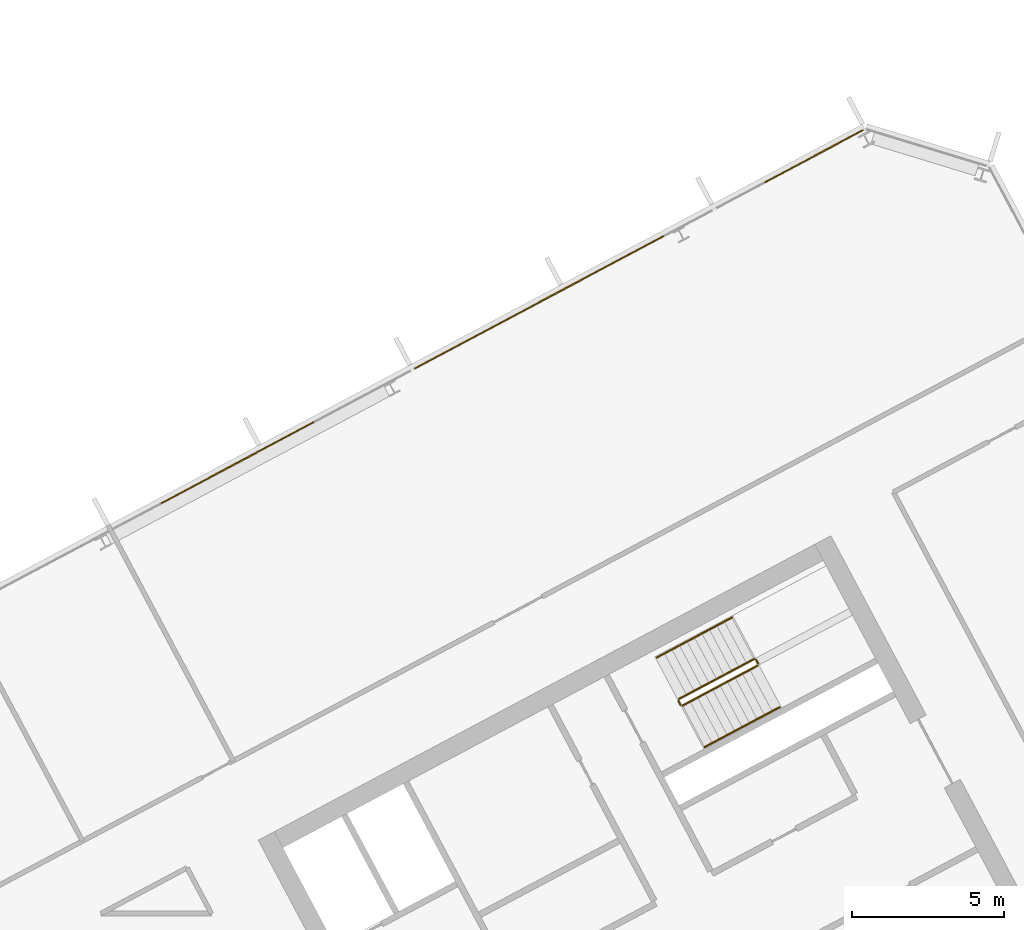
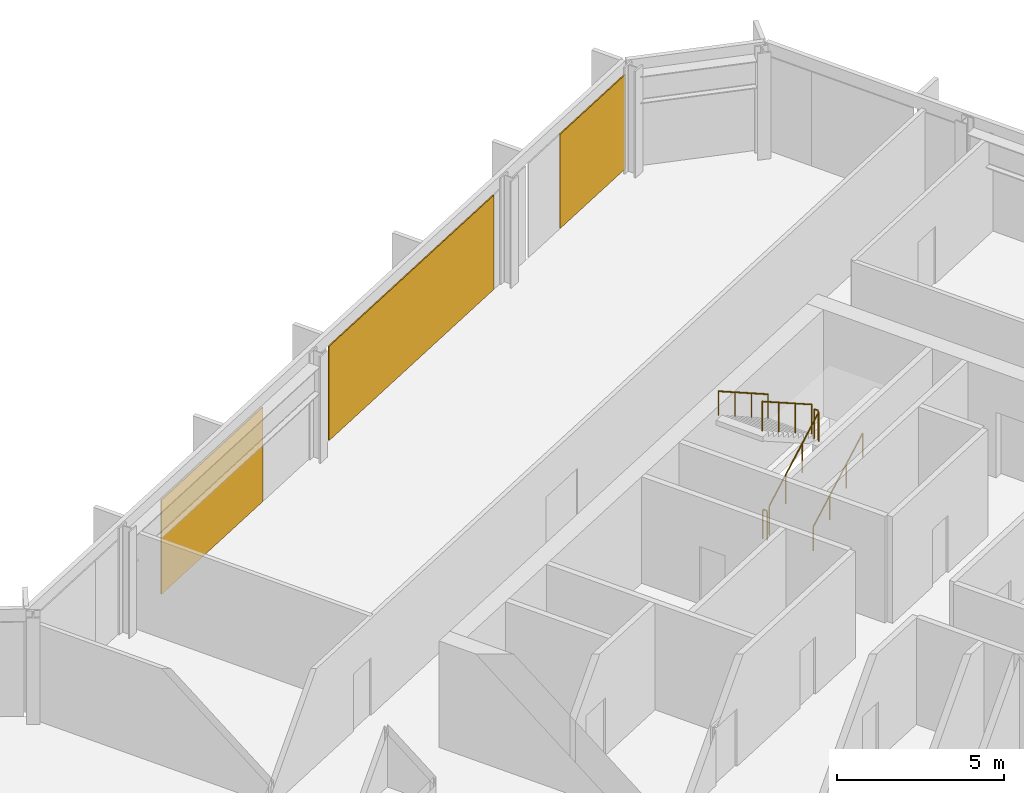
# One storey, part 26 of 27: 6 railings, 3 coverings, 1 element without a shape of its own.
"""IFC4 building model written with IfcOpenShell, lengths in metres."""

import ifcopenshell
import ifcopenshell.guid

model = None  # the IFC model being written
_history = None  # IfcOwnerHistory: only IFC2X3 demands one
_inside = {}  # id of a spatial element -> (the spatial element, [elements in it])
_under = {}  # id of a project, library or spatial element -> (it, [spatial elements below it])
_declared = {}  # id of a project -> (the project, [libraries it declares])
_typed = {}  # id of a type object -> (the type object, [elements of that type])
_made_of = {}  # id of a material, layer set ... -> (it, [elements and type objects made of it])


def new_model(schema):
    """Start an empty IFC model of exactly this schema.

    Asked for "IFC4X3", IfcOpenShell would pick the latest addendum, in which some entities
    have other attributes; the version numbers below select the first issue.
    IFC2X3 requires an IfcOwnerHistory on every rooted entity: one is made here for all.
    """
    global model, _history
    if schema == "IFC4X3":
        model = ifcopenshell.file(schema_version=(4, 3, 0, 0))
    else:
        model = ifcopenshell.file(schema=schema)
    _inside.clear()
    _under.clear()
    _declared.clear()
    _typed.clear()
    _made_of.clear()
    _history = None
    if model.schema == "IFC2X3":
        org = make("IfcOrganization", Name="unknown")
        user = make(
            "IfcPersonAndOrganization",
            ThePerson=make("IfcPerson", FamilyName="unknown"),
            TheOrganization=org,
        )
        app = make(
            "IfcApplication",
            ApplicationDeveloper=org,
            Version="unknown",
            ApplicationFullName="unknown",
            ApplicationIdentifier="unknown",
        )
        _history = make(
            "IfcOwnerHistory",
            OwningUser=user,
            OwningApplication=app,
            ChangeAction="ADDED",
            CreationDate=0,
        )
    return model


def make(cls, **values):
    """One entity of the class cls with the attributes given. An attribute that is None is left unset."""
    return model.create_entity(
        cls, **{name: value for name, value in values.items() if value is not None}
    )


def rooted(cls, **values):
    """An entity with a GlobalId (a new one), such as an element, a storey or a relation."""
    return make(cls, GlobalId=ifcopenshell.guid.new(), OwnerHistory=_history, **values)


def si_unit(unit_type, name, prefix=None):
    """IfcSIUnit, for example si_unit("LENGTHUNIT", "METRE", prefix="MILLI")."""
    return make("IfcSIUnit", UnitType=unit_type, Prefix=prefix, Name=name)


def assignment(units):
    """IfcUnitAssignment: the units of a project."""
    return None if units is None else make("IfcUnitAssignment", Units=units)


def point(xyz):
    """IfcCartesianPoint."""
    return None if xyz is None else make("IfcCartesianPoint", Coordinates=xyz)


def direction(xyz):
    """IfcDirection."""
    return None if xyz is None else make("IfcDirection", DirectionRatios=xyz)


def frame(location, z_axis=None, x_axis=None):
    """IfcAxis2Placement3D, a coordinate frame: its origin and axes. An axis left out is left unset."""
    return make(
        "IfcAxis2Placement3D",
        Location=point(location),
        Axis=direction(z_axis),
        RefDirection=direction(x_axis),
    )


def frame_2d(location, x_axis=None):
    """IfcAxis2Placement2D, a coordinate frame in the plane: its origin and x axis."""
    return make(
        "IfcAxis2Placement2D", Location=point(location), RefDirection=direction(x_axis)
    )


def origin():
    """The frame at (0, 0, 0) with its axes left unset."""
    return frame((0.0, 0.0, 0.0))


def origin_2d():
    """The frame at (0, 0) in the plane with its x axis left unset."""
    return frame_2d((0.0, 0.0))


def place(relative_to, where):
    """IfcLocalPlacement: puts the frame where relative to a parent placement (None: the world)."""
    return make(
        "IfcLocalPlacement", PlacementRelTo=relative_to, RelativePlacement=where
    )


def context(
    kind, dimensions, precision=None, world=None, true_north=None, identifier=None
):
    """IfcGeometricRepresentationContext, for example the 3D "Model" context."""
    return make(
        "IfcGeometricRepresentationContext",
        ContextIdentifier=identifier,
        ContextType=kind,
        CoordinateSpaceDimension=dimensions,
        Precision=precision,
        WorldCoordinateSystem=world,
        TrueNorth=true_north,
    )


def subcontext(parent, identifier, kind, view, scale=None):
    """IfcGeometricRepresentationSubContext, for example "Body" below "Model"."""
    return make(
        "IfcGeometricRepresentationSubContext",
        ContextIdentifier=identifier,
        ContextType=kind,
        ParentContext=parent,
        TargetScale=scale,
        TargetView=view,
    )


def project(units=None, contexts=None):
    """IfcProject with its units and contexts."""
    return rooted(
        "IfcProject",
        Name="project",
        RepresentationContexts=contexts,
        UnitsInContext=assignment(units),
    )


def spatial(cls, under=None, at=None, **own):
    """A site, building, storey or space (cls), placed at a placement, below another one or the project."""
    s = rooted(cls, ObjectPlacement=at, **own)
    if under is not None:
        _under.setdefault(under.id(), (under, []))[1].append(s)
    return s


def polyline(points):
    """IfcPolyline through the points."""
    return make("IfcPolyline", Points=[point(p) for p in points])


def profile(cls, at=None, kind="AREA", **sizes):
    """A parametric profile (cls). Its sizes go by their IFC names, for example OverallWidth=200.0."""
    return make(cls, ProfileType=kind, Position=at, **sizes)


def rectangle(**sizes):
    """IfcRectangleProfileDef."""
    return profile("IfcRectangleProfileDef", **sizes)


def outline(outer, holes=None, kind="AREA"):
    """IfcArbitraryClosedProfileDef: a profile drawn as a closed curve; with holes, ...WithVoids."""
    if holes is None:
        return make("IfcArbitraryClosedProfileDef", ProfileType=kind, OuterCurve=outer)
    return make(
        "IfcArbitraryProfileDefWithVoids",
        ProfileType=kind,
        OuterCurve=outer,
        InnerCurves=holes,
    )


def extrude(swept, where, along, depth):
    """IfcExtrudedAreaSolid: the profile swept, set in the frame where, extruded along a direction by depth."""
    return make(
        "IfcExtrudedAreaSolid",
        SweptArea=swept,
        Position=where,
        ExtrudedDirection=direction(along),
        Depth=depth,
    )


def shape(context_of_items, identifier, shape_type, items):
    """IfcShapeRepresentation: the items that make up one representation, for example the "Body"."""
    return make(
        "IfcShapeRepresentation",
        ContextOfItems=context_of_items,
        RepresentationIdentifier=identifier,
        RepresentationType=shape_type,
        Items=items,
    )


def material(Name=None, Category=None):
    """IfcMaterial."""
    return make("IfcMaterial", Name=Name, Category=Category)


def layer(
    of_material, thickness, ventilated=None, Name=None, Category=None, Priority=None
):
    """IfcMaterialLayer: one layer of a wall or slab, of a material (None: an air gap)."""
    return make(
        "IfcMaterialLayer",
        Material=of_material,
        LayerThickness=thickness,
        IsVentilated=ventilated,
        Name=Name,
        Category=Category,
        Priority=Priority,
    )


def layer_set(layers, Name=None):
    """IfcMaterialLayerSet."""
    return make("IfcMaterialLayerSet", MaterialLayers=layers, LayerSetName=Name)


def made_of(thing, what):
    """Note that an element or type object is made of a material, layer set ...; save() writes the relation."""
    if what is not None:
        _made_of.setdefault(what.id(), (what, []))[1].append(thing)
    return thing


def type_object(cls, material=None, **own):
    """A type object (cls), such as IfcWallType, which elements share."""
    return made_of(rooted(cls, **own), material)


def element(
    cls,
    number,
    at=None,
    inside=None,
    cuts=None,
    type_object=None,
    material=None,
    context=None,
    identifier="Body",
    shape_type=None,
    held_by="IfcProductDefinitionShape",
    body=None,
    shapes=None,
    **own,
):
    """One element of the class cls, such as IfcWall. Its Tag is "e" and its number.

    at: its placement. inside: the storey or other place that contains it. cuts: it is an
    opening in that element (IfcRelVoidsElement). A single representation is given by context,
    identifier, shape_type and body (its items); several are given by shapes. held_by: the class
    of the entity that holds the representations. save() writes the other relations.
    """
    e = rooted(cls, Tag="e%d" % number, ObjectPlacement=at, **own)
    if body is not None:
        shapes = [shape(context, identifier, shape_type, body)]
    if shapes is not None:
        e.Representation = make(held_by, Representations=shapes)
    if inside is not None:
        _inside.setdefault(inside.id(), (inside, []))[1].append(e)
    if cuts is not None:
        rooted(
            "IfcRelVoidsElement", RelatingBuildingElement=cuts, RelatedOpeningElement=e
        )
    if type_object is not None:
        _typed.setdefault(type_object.id(), (type_object, []))[1].append(e)
    return made_of(e, material)


def aggregate(whole, parts):
    """IfcRelAggregates: a whole, such as a stair, and the parts it consists of."""
    return rooted("IfcRelAggregates", RelatingObject=whole, RelatedObjects=parts)


def save(model, path):
    """Write the relations noted so far, then the file.

    IfcRelAggregates (storeys below a building ...), IfcRelContainedInSpatialStructure (elements
    in a storey), IfcRelDefinesByType, IfcRelAssociatesMaterial and IfcRelDeclares: one each for
    every whole, place, type object, material and project.
    """
    for whole, parts in _under.values():
        aggregate(whole, parts)
    for where, things in _inside.values():
        rooted(
            "IfcRelContainedInSpatialStructure",
            RelatedElements=things,
            RelatingStructure=where,
        )
    for kind, things in _typed.values():
        rooted("IfcRelDefinesByType", RelatedObjects=things, RelatingType=kind)
    for what, things in _made_of.values():
        rooted("IfcRelAssociatesMaterial", RelatedObjects=things, RelatingMaterial=what)
    for by, libraries in _declared.values():
        rooted("IfcRelDeclares", RelatingContext=by, RelatedDefinitions=libraries)
    model.write(path)


model = new_model("IFC4")

# Units and contexts
model_context = context("Model", 3, precision=1e-05, world=origin(), true_north=direction((0.0, 1.0)))
body_context = subcontext(model_context, "Body", "Model", "MODEL_VIEW")
ifc_project = project(units=[si_unit("LENGTHUNIT", "METRE"), si_unit("AREAUNIT", "SQUARE_METRE"), si_unit("VOLUMEUNIT", "CUBIC_METRE"), si_unit("PLANEANGLEUNIT", "RADIAN"), si_unit("MASSUNIT", "GRAM", prefix="KILO")], contexts=[model_context])

# Site, building, storey
site_placement = place(None, origin())
site = spatial("IfcSite", under=ifc_project, at=site_placement, CompositionType="ELEMENT")
building_placement = place(site_placement, origin())
building = spatial("IfcBuilding", under=site, at=building_placement, Name="Cormorant Relay Tower", CompositionType="ELEMENT")
storey_placement = place(building_placement, frame((0.0, 0.0, 209.10009765625)))
storey = spatial("IfcBuildingStorey", under=building, at=storey_placement, Name="L45", CompositionType="ELEMENT", Elevation=209.10009765625)

# Curtain wall, coverings
ifc_material_1 = material(Name="Aluminium 6063-T6 anodised bronze", Category="aluminium")
ifc_layer_1 = layer(ifc_material_1, 0.199951171875)
ifc_layer_set_1 = layer_set([ifc_layer_1], Name="CW1 unitised bronze curtain wall with vertical fins")
curtain_wall_type = type_object("IfcCurtainWallType", Name="CW1 unitised bronze curtain wall with vertical fins", PredefinedType="NOTDEFINED", material=ifc_layer_set_1)
curtain_wall_placement = place(storey_placement, origin())
curtain_wall = element("IfcCurtainWall", 1, at=curtain_wall_placement, inside=storey, type_object=curtain_wall_type, Name="CW1 curtain wall 8", PredefinedType="NOTDEFINED")
ifc_material_2 = material(Name="Pale bronze anodised aluminium insulated panel", Category="aluminium")
ifc_layer_2 = layer(ifc_material_2, 0.0400390625)
ifc_layer_set_2 = layer_set([ifc_layer_2], Name="CW1 pale bronze insulated panel 40")
covering_type = type_object("IfcCoveringType", Name="CW1 pale bronze insulated panel 40", PredefinedType="CLADDING", material=ifc_layer_set_2)
covering_1_placement = place(storey_placement, frame((28.16943359375, 38.78466796875, 0.0), z_axis=(0.0, 0.0, 1.0), x_axis=(-0.882947592859, -0.469471562786, 0.0)))
covering_1 = element("IfcCovering", 2, at=covering_1_placement, type_object=covering_type, Name="CW1 panel S00", PredefinedType="CLADDING", context=body_context, shape_type="SweptSolid", body=[
    extrude(rectangle(XDim=3.68896484375, YDim=0.0400390625, at=origin_2d()), origin(), (0.0, 0.0, 1.0), 3.449951171875),
])
covering_2_placement = place(storey_placement, frame((19.11181640625, 33.968505859375, 0.0), z_axis=(0.0, 0.0, 1.0), x_axis=(-0.882947592859, -0.469471562786, 0.0)))
covering_2 = element("IfcCovering", 3, at=covering_2_placement, type_object=covering_type, Name="CW1 panel S03", PredefinedType="CLADDING", context=body_context, shape_type="SweptSolid", body=[
    extrude(rectangle(XDim=9.327880859375, YDim=0.0400390625, at=origin_2d()), origin(), (0.0, 0.0, 1.0), 3.449951171875),
])
covering_3_placement = place(storey_placement, frame((9.15380859375, 28.673828125, 0.0), z_axis=(0.0, 0.0, 1.0), x_axis=(-0.882947592859, -0.469471562786, 0.0)))
covering_3 = element("IfcCovering", 4, at=covering_3_placement, type_object=covering_type, Name="CW1 panel S05", PredefinedType="CLADDING", context=body_context, shape_type="SweptSolid", body=[
    extrude(rectangle(XDim=5.72802734375, YDim=0.0400390625, at=origin_2d()), origin(), (0.0, 0.0, 1.0), 3.449951171875),
])
aggregate(curtain_wall, [covering_1, covering_2, covering_3])

# Railings
ifc_material_3 = material(Name="Steel ASTM A572 Grade 50 (Fy 345 MPa)", Category="steel")
railing_type_1 = type_object("IfcRailingType", Name="Stair guard 1100", PredefinedType="GUARDRAIL", material=ifc_material_3)
railing_1_placement = place(storey_placement, frame((23.8408203125, 20.6611328125, 0.17724609375)))
element("IfcRailing", 5, at=railing_1_placement, inside=storey, type_object=railing_type_1, Name="L45 B2 stair guard 1", PredefinedType="GUARDRAIL", context=body_context, shape_type="SweptSolid", body=[
    extrude(outline(polyline([(0.022216796875, 0.00927734375), (0.00927734375, 0.022216796875), (-0.00927734375, 0.022216796875), (-0.022216796875, 0.00927734375), (-0.022216796875, -0.00927734375), (-0.00927734375, -0.022216796875), (0.00927734375, -0.022216796875), (0.022216796875, -0.00927734375), (0.022216796875, 0.00927734375)])), frame((0.0, 0.0, 1.076171875), z_axis=(0.746033882577, 0.396627473466, 0.534901947407), x_axis=(-0.469429322983, 0.882970050864, 0.0)), (0.0, 0.0, 1.0), 3.31396484375),
    extrude(outline(polyline([(0.019287109375, 0.008056640625), (0.008056640625, 0.019287109375), (-0.008056640625, 0.019287109375), (-0.019287109375, 0.008056640625), (-0.019287109375, -0.008056640625), (-0.008056640625, -0.019287109375), (0.008056640625, -0.019287109375), (0.019287109375, -0.008056640625), (0.019287109375, 0.008056640625)])), origin(), (0.0, 0.0, 1.0), 1.052001953125),
    extrude(outline(polyline([(0.019287109375, 0.008056640625), (0.008056640625, 0.019287109375), (-0.008056640625, 0.019287109375), (-0.019287109375, 0.008056640625), (-0.019287109375, -0.008056640625), (-0.008056640625, -0.019287109375), (0.008056640625, -0.019287109375), (0.019287109375, -0.008056640625), (0.019287109375, 0.008056640625)])), frame((0.82421875, 0.438232421875, 0.5908203125)), (0.0, 0.0, 1.0), 1.052001953125),
    extrude(outline(polyline([(0.019287109375, 0.008056640625), (0.008056640625, 0.019287109375), (-0.008056640625, 0.019287109375), (-0.019287109375, 0.008056640625), (-0.019287109375, -0.008056640625), (-0.008056640625, -0.019287109375), (0.008056640625, -0.019287109375), (0.019287109375, -0.008056640625), (0.019287109375, 0.008056640625)])), frame((1.648193359375, 0.876220703125, 1.181884765625)), (0.0, 0.0, 1.0), 1.052001953125),
    extrude(outline(polyline([(0.019287109375, 0.008056640625), (0.008056640625, 0.019287109375), (-0.008056640625, 0.019287109375), (-0.019287109375, 0.008056640625), (-0.019287109375, -0.008056640625), (-0.008056640625, -0.019287109375), (0.008056640625, -0.019287109375), (0.019287109375, -0.008056640625), (0.019287109375, 0.008056640625)])), frame((2.472412109375, 1.314453125, 1.772705078125)), (0.0, 0.0, 1.0), 1.052001953125),
])
railing_2_placement = place(storey_placement, frame((26.333740234375, 22.043212890625, 1.949951171875)))
element("IfcRailing", 6, at=railing_2_placement, inside=storey, type_object=railing_type_1, Name="L45 B2 stair guard 2", PredefinedType="GUARDRAIL", context=body_context, shape_type="SweptSolid", body=[
    extrude(outline(polyline([(0.022216796875, 0.00927734375), (0.00927734375, 0.022216796875), (-0.00927734375, 0.022216796875), (-0.022216796875, 0.00927734375), (-0.022216796875, -0.00927734375), (-0.00927734375, -0.022216796875), (0.00927734375, -0.022216796875), (0.022216796875, -0.00927734375), (0.022216796875, 0.00927734375)])), frame((0.0, 0.0, 1.076171875), z_axis=(-0.469234640946, 0.883073525669, 0.0), x_axis=(-0.883073525669, -0.469234640946, 0.0)), (0.0, 0.0, 1.0), 0.14990234375),
    extrude(outline(polyline([(0.019287109375, 0.008056640625), (0.008056640625, 0.019287109375), (-0.008056640625, 0.019287109375), (-0.019287109375, 0.008056640625), (-0.019287109375, -0.008056640625), (-0.008056640625, -0.019287109375), (0.008056640625, -0.019287109375), (0.019287109375, -0.008056640625), (0.019287109375, 0.008056640625)])), origin(), (0.0, 0.0, 1.0), 1.052001953125),
    extrude(outline(polyline([(0.019287109375, 0.008056640625), (0.008056640625, 0.019287109375), (-0.008056640625, 0.019287109375), (-0.019287109375, 0.008056640625), (-0.019287109375, -0.008056640625), (-0.008056640625, -0.019287109375), (0.008056640625, -0.019287109375), (0.019287109375, -0.008056640625), (0.019287109375, 0.008056640625)])), frame((-0.0703125, 0.13232421875, 0.0)), (0.0, 0.0, 1.0), 1.052001953125),
])
railing_3_placement = place(storey_placement, frame((26.19580078125, 22.1962890625, 2.127197265625)))
element("IfcRailing", 7, at=railing_3_placement, inside=storey, type_object=railing_type_1, Name="L45 B2 stair guard 3", PredefinedType="GUARDRAIL", context=body_context, shape_type="SweptSolid", body=[
    extrude(outline(polyline([(0.022216796875, 0.00927734375), (0.00927734375, 0.022216796875), (-0.00927734375, 0.022216796875), (-0.022216796875, 0.00927734375), (-0.022216796875, -0.00927734375), (-0.00927734375, -0.022216796875), (0.00927734375, -0.022216796875), (0.022216796875, -0.00927734375), (0.022216796875, 0.00927734375)])), frame((0.0, 0.0, 1.076171875), z_axis=(-0.746033882577, -0.396627473466, 0.534901947407), x_axis=(0.469429322983, -0.882970050864, 0.0)), (0.0, 0.0, 1.0), 3.31396484375),
    extrude(outline(polyline([(0.019287109375, 0.008056640625), (0.008056640625, 0.019287109375), (-0.008056640625, 0.019287109375), (-0.019287109375, 0.008056640625), (-0.019287109375, -0.008056640625), (-0.008056640625, -0.019287109375), (0.008056640625, -0.019287109375), (0.019287109375, -0.008056640625), (0.019287109375, 0.008056640625)])), origin(), (0.0, 0.0, 1.0), 1.052001953125),
    extrude(outline(polyline([(0.019287109375, 0.008056640625), (0.008056640625, 0.019287109375), (-0.008056640625, 0.019287109375), (-0.019287109375, 0.008056640625), (-0.019287109375, -0.008056640625), (-0.008056640625, -0.019287109375), (0.008056640625, -0.019287109375), (0.019287109375, -0.008056640625), (0.019287109375, 0.008056640625)])), frame((-0.82421875, -0.438232421875, 0.5908203125)), (0.0, 0.0, 1.0), 1.052001953125),
    extrude(outline(polyline([(0.019287109375, 0.008056640625), (0.008056640625, 0.019287109375), (-0.008056640625, 0.019287109375), (-0.019287109375, 0.008056640625), (-0.019287109375, -0.008056640625), (-0.008056640625, -0.019287109375), (0.008056640625, -0.019287109375), (0.019287109375, -0.008056640625), (0.019287109375, 0.008056640625)])), frame((-1.648193359375, -0.876220703125, 1.181884765625)), (0.0, 0.0, 1.0), 1.052001953125),
    extrude(outline(polyline([(0.019287109375, 0.008056640625), (0.008056640625, 0.019287109375), (-0.008056640625, 0.019287109375), (-0.019287109375, 0.008056640625), (-0.019287109375, -0.008056640625), (-0.008056640625, -0.019287109375), (0.008056640625, -0.019287109375), (0.019287109375, -0.008056640625), (0.019287109375, 0.008056640625)])), frame((-2.472412109375, -1.314453125, 1.772705078125)), (0.0, 0.0, 1.0), 1.052001953125),
])
railing_4_placement = place(storey_placement, frame((23.773193359375, 20.681640625, 0.0)))
element("IfcRailing", 8, at=railing_4_placement, inside=storey, type_object=railing_type_1, Name="L45 B2 stair guard 4", PredefinedType="GUARDRAIL", context=body_context, shape_type="SweptSolid", body=[
    extrude(outline(polyline([(0.022216796875, 0.00927734375), (0.00927734375, 0.022216796875), (-0.00927734375, 0.022216796875), (-0.022216796875, 0.00927734375), (-0.022216796875, -0.00927734375), (-0.00927734375, -0.022216796875), (0.00927734375, -0.022216796875), (0.022216796875, -0.00927734375), (0.022216796875, 0.00927734375)])), frame((0.0, 0.0, 1.076171875), z_axis=(-0.46856034887, 0.8834314911, 0.0), x_axis=(-0.8834314911, -0.46856034887, 0.0)), (0.0, 0.0, 1.0), 0.150146484375),
    extrude(outline(polyline([(0.019287109375, 0.008056640625), (0.008056640625, 0.019287109375), (-0.008056640625, 0.019287109375), (-0.019287109375, 0.008056640625), (-0.019287109375, -0.008056640625), (-0.008056640625, -0.019287109375), (0.008056640625, -0.019287109375), (0.019287109375, -0.008056640625), (0.019287109375, 0.008056640625)])), origin(), (0.0, 0.0, 1.0), 1.052001953125),
    extrude(outline(polyline([(0.019287109375, 0.008056640625), (0.008056640625, 0.019287109375), (-0.008056640625, 0.019287109375), (-0.019287109375, 0.008056640625), (-0.019287109375, -0.008056640625), (-0.008056640625, -0.019287109375), (0.008056640625, -0.019287109375), (0.019287109375, -0.008056640625), (0.019287109375, 0.008056640625)])), frame((-0.0703125, 0.132568359375, 0.0)), (0.0, 0.0, 1.0), 1.052001953125),
])
ifc_material_4 = material(Name="Steel ASTM A572 Grade 50 (Fy 345 MPa)", Category="steel")
railing_type_2 = type_object("IfcRailingType", Name="Stair handrail 900", PredefinedType="HANDRAIL", material=ifc_material_4)
railing_5_placement = place(storey_placement, frame((24.568603515625, 19.29248046875, 0.17724609375)))
element("IfcRailing", 9, at=railing_5_placement, inside=storey, type_object=railing_type_2, Name="L45 B2 stair handrail 1", PredefinedType="HANDRAIL", context=body_context, shape_type="SweptSolid", body=[
    extrude(outline(polyline([(0.022216796875, 0.00927734375), (0.00927734375, 0.022216796875), (-0.00927734375, 0.022216796875), (-0.022216796875, 0.00927734375), (-0.022216796875, -0.00927734375), (-0.00927734375, -0.022216796875), (0.00927734375, -0.022216796875), (0.022216796875, -0.00927734375), (0.022216796875, 0.00927734375)])), frame((0.0, 0.0, 0.8759765625), z_axis=(0.746001213114, 0.396649272309, 0.534931345884), x_axis=(-0.469465464807, 0.882950835185, 0.0)), (0.0, 0.0, 1.0), 3.31396484375),
    extrude(outline(polyline([(0.019287109375, 0.008056640625), (0.008056640625, 0.019287109375), (-0.008056640625, 0.019287109375), (-0.019287109375, 0.008056640625), (-0.019287109375, -0.008056640625), (-0.008056640625, -0.019287109375), (0.008056640625, -0.019287109375), (0.019287109375, -0.008056640625), (0.019287109375, 0.008056640625)])), origin(), (0.0, 0.0, 1.0), 0.851806640625),
    extrude(outline(polyline([(0.019287109375, 0.008056640625), (0.008056640625, 0.019287109375), (-0.008056640625, 0.019287109375), (-0.019287109375, 0.008056640625), (-0.019287109375, -0.008056640625), (-0.008056640625, -0.019287109375), (0.008056640625, -0.019287109375), (0.019287109375, -0.008056640625), (0.019287109375, 0.008056640625)])), frame((0.823974609375, 0.438232421875, 0.5908203125)), (0.0, 0.0, 1.0), 0.851806640625),
    extrude(outline(polyline([(0.019287109375, 0.008056640625), (0.008056640625, 0.019287109375), (-0.008056640625, 0.019287109375), (-0.019287109375, 0.008056640625), (-0.019287109375, -0.008056640625), (-0.008056640625, -0.019287109375), (0.008056640625, -0.019287109375), (0.019287109375, -0.008056640625), (0.019287109375, 0.008056640625)])), frame((1.648193359375, 0.876220703125, 1.181884765625)), (0.0, 0.0, 1.0), 0.851806640625),
    extrude(outline(polyline([(0.019287109375, 0.008056640625), (0.008056640625, 0.019287109375), (-0.008056640625, 0.019287109375), (-0.019287109375, 0.008056640625), (-0.019287109375, -0.008056640625), (-0.008056640625, -0.019287109375), (0.008056640625, -0.019287109375), (0.019287109375, -0.008056640625), (0.019287109375, 0.008056640625)])), frame((2.47216796875, 1.314453125, 1.772705078125)), (0.0, 0.0, 1.0), 0.851806640625),
])
railing_6_placement = place(storey_placement, frame((25.468017578125, 23.56494140625, 2.127197265625)))
element("IfcRailing", 10, at=railing_6_placement, inside=storey, type_object=railing_type_2, Name="L45 B2 stair handrail 2", PredefinedType="HANDRAIL", context=body_context, shape_type="SweptSolid", body=[
    extrude(outline(polyline([(0.022216796875, 0.00927734375), (0.00927734375, 0.022216796875), (-0.00927734375, 0.022216796875), (-0.022216796875, 0.00927734375), (-0.022216796875, -0.00927734375), (-0.00927734375, -0.022216796875), (0.00927734375, -0.022216796875), (0.022216796875, -0.00927734375), (0.022216796875, 0.00927734375)])), frame((0.0, 0.0, 0.8759765625), z_axis=(-0.745979412481, -0.396711350603, 0.534915713414), x_axis=(0.469533439143, -0.882914689835, 0.0)), (0.0, 0.0, 1.0), 3.31396484375),
    extrude(outline(polyline([(0.019287109375, 0.008056640625), (0.008056640625, 0.019287109375), (-0.008056640625, 0.019287109375), (-0.019287109375, 0.008056640625), (-0.019287109375, -0.008056640625), (-0.008056640625, -0.019287109375), (0.008056640625, -0.019287109375), (0.019287109375, -0.008056640625), (0.019287109375, 0.008056640625)])), origin(), (0.0, 0.0, 1.0), 0.851806640625),
    extrude(outline(polyline([(0.019287109375, 0.008056640625), (0.008056640625, 0.019287109375), (-0.008056640625, 0.019287109375), (-0.019287109375, 0.008056640625), (-0.019287109375, -0.008056640625), (-0.008056640625, -0.019287109375), (0.008056640625, -0.019287109375), (0.019287109375, -0.008056640625), (0.019287109375, 0.008056640625)])), frame((-0.823974609375, -0.438232421875, 0.5908203125)), (0.0, 0.0, 1.0), 0.851806640625),
    extrude(outline(polyline([(0.019287109375, 0.008056640625), (0.008056640625, 0.019287109375), (-0.008056640625, 0.019287109375), (-0.019287109375, 0.008056640625), (-0.019287109375, -0.008056640625), (-0.008056640625, -0.019287109375), (0.008056640625, -0.019287109375), (0.019287109375, -0.008056640625), (0.019287109375, 0.008056640625)])), frame((-1.648193359375, -0.87646484375, 1.181884765625)), (0.0, 0.0, 1.0), 0.851806640625),
    extrude(outline(polyline([(0.019287109375, 0.008056640625), (0.008056640625, 0.019287109375), (-0.008056640625, 0.019287109375), (-0.019287109375, 0.008056640625), (-0.019287109375, -0.008056640625), (-0.008056640625, -0.019287109375), (0.008056640625, -0.019287109375), (0.019287109375, -0.008056640625), (0.019287109375, 0.008056640625)])), frame((-2.47216796875, -1.314697265625, 1.772705078125)), (0.0, 0.0, 1.0), 0.851806640625),
])

save(model, "model.ifc")
